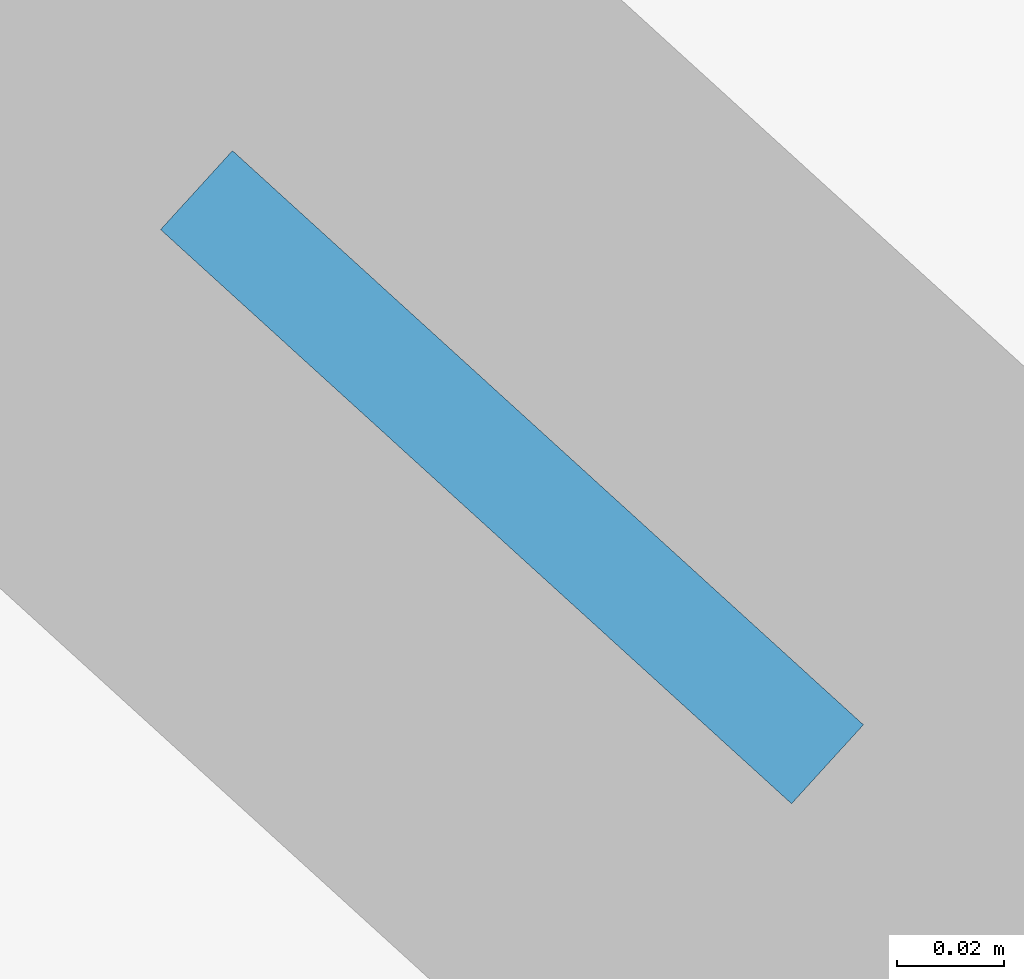
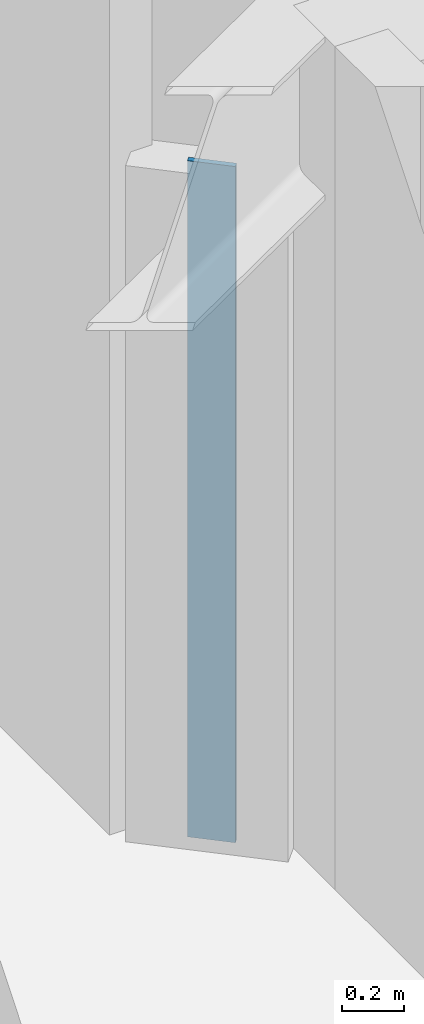
# One storey, part 4 of 10: 1 plate.
"""IFC4 building model written with IfcOpenShell, lengths in metres."""

from ifc_helpers import new_model, si_unit, direction, frame, origin, origin_2d, place, context, subcontext, project, spatial, rectangle, extrude, material, layer, layer_set, type_object, element, save


model = new_model("IFC4")

# Units and contexts
model_context = context("Model", 3, precision=1e-05, world=origin(), true_north=direction((0.0, 1.0)))
body_context = subcontext(model_context, "Body", "Model", "MODEL_VIEW")
ifc_project = project(units=[si_unit("LENGTHUNIT", "METRE"), si_unit("AREAUNIT", "SQUARE_METRE"), si_unit("VOLUMEUNIT", "CUBIC_METRE"), si_unit("PLANEANGLEUNIT", "RADIAN"), si_unit("MASSUNIT", "GRAM", prefix="KILO")], contexts=[model_context])

# Site, building, storey
site_placement = place(None, origin())
site = spatial("IfcSite", under=ifc_project, at=site_placement, CompositionType="ELEMENT")
building_placement = place(site_placement, origin())
building = spatial("IfcBuilding", under=site, at=building_placement, Name="Miruveldt Soraemaru", CompositionType="ELEMENT")
storey_placement = place(building_placement, frame((0.0, 0.0, 226.800048828125)))
storey = spatial("IfcBuildingStorey", under=building, at=storey_placement, Name="L62", CompositionType="ELEMENT", Elevation=226.800048828125)

# Plate
ifc_material = material(Name="Anodised aluminium EN AW-6063 T6", Category="aluminium")
ifc_layer = layer(ifc_material, 0.02001953125, Name="Anodised aluminium EN AW-6063 T6", Category="aluminium")
ifc_layer_set = layer_set([ifc_layer], Name="Anodised aluminium EN AW-6063 T6")
plate_type = type_object("IfcPlateType", Name="PLT-PART-TRIM", PredefinedType="SHEET", material=ifc_layer_set)
plate_placement = place(storey_placement, frame((35.14990234375, 52.8720703125, 0.0), z_axis=(0.0, 0.0, 1.0), x_axis=(0.739631094979, -0.67301251351, 0.0)))
element("IfcPlate", 1, at=plate_placement, inside=storey, type_object=plate_type, Name="L62 Partition Step Corner Trim Plate 001", PredefinedType="SHEET", context=body_context, shape_type="SweptSolid", body=[
    extrude(rectangle(XDim=0.159912109375, YDim=0.02001953125, at=origin_2d()), origin(), (0.0, 0.0, 1.0), 2.68310546875),
])

save(model, "model.ifc")
